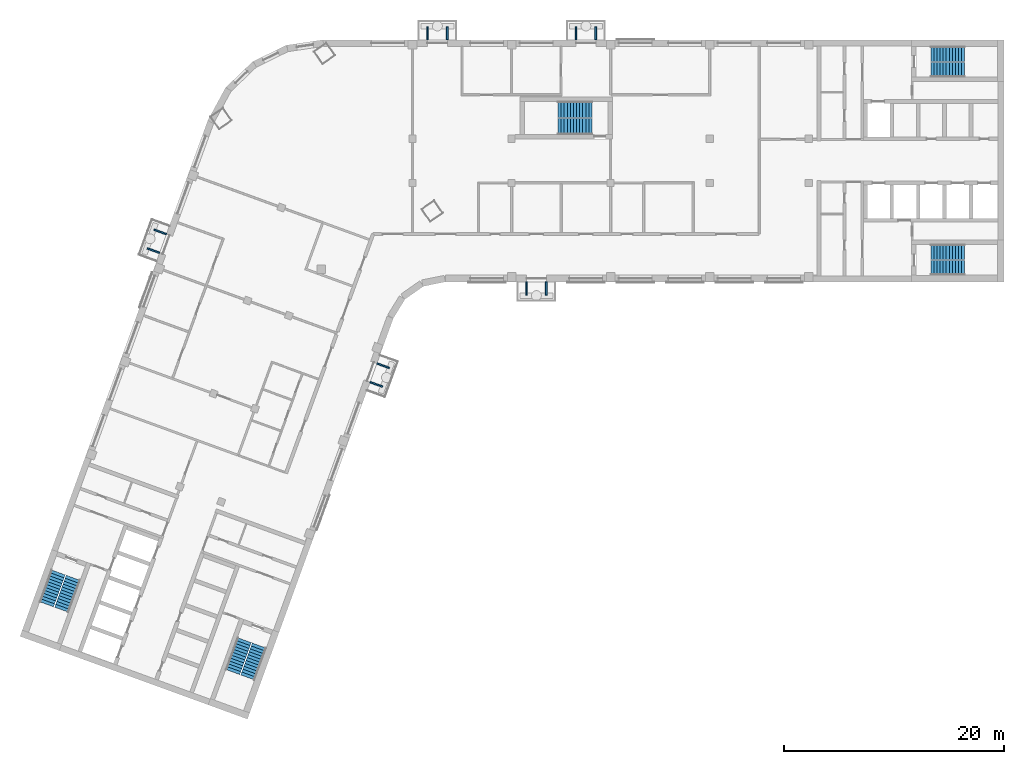
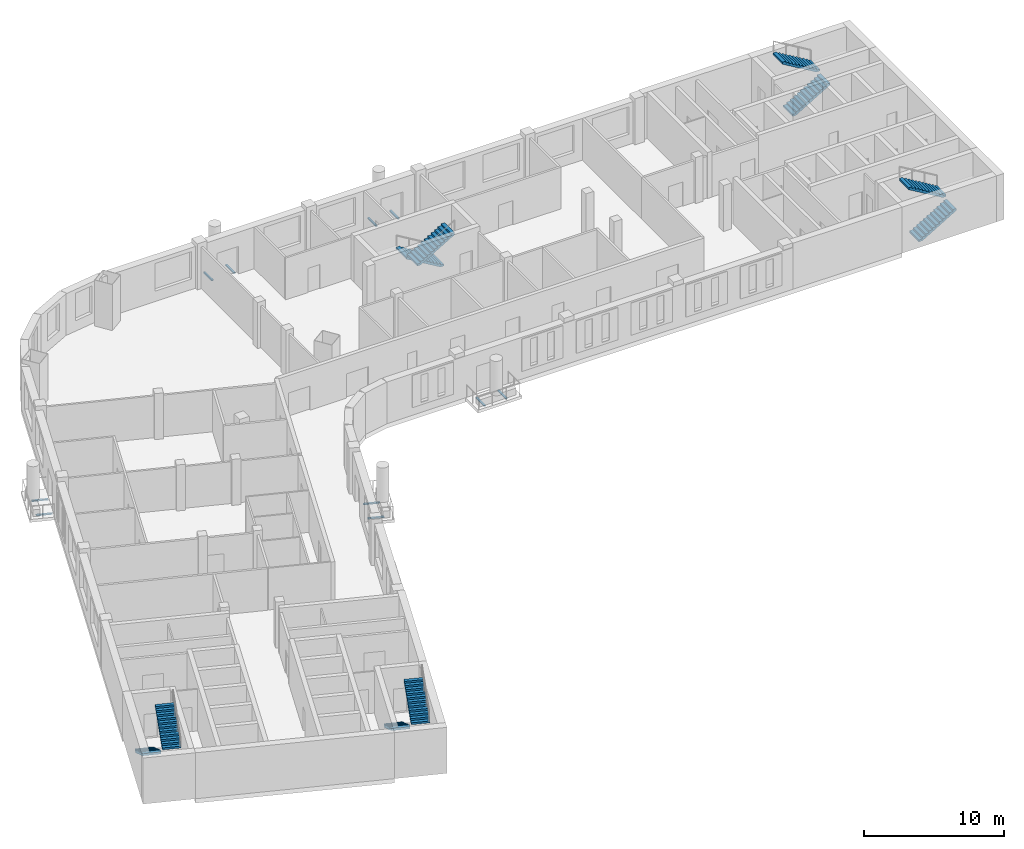
# One storey, part 7 of 10: 10 discrete accessories, 10 stair flights, 5 elements without a shape of their own.
"""IFC4 building model written with IfcOpenShell, lengths in metres."""

from ifc_helpers import new_model, si_unit, direction, frame, origin, origin_2d, place, context, subcontext, project, spatial, polyline, rectangle, outline, extrude, material, type_object, element, aggregate, save


model = new_model("IFC4")

# Units and contexts
model_context = context("Model", 3, precision=1e-05, world=origin(), true_north=direction((0.0, 1.0)))
body_context = subcontext(model_context, "Body", "Model", "MODEL_VIEW")
ifc_project = project(units=[si_unit("LENGTHUNIT", "METRE"), si_unit("AREAUNIT", "SQUARE_METRE"), si_unit("VOLUMEUNIT", "CUBIC_METRE"), si_unit("PLANEANGLEUNIT", "RADIAN"), si_unit("MASSUNIT", "GRAM", prefix="KILO")], contexts=[model_context])

# Site, building, storey
site_placement = place(None, origin())
site = spatial("IfcSite", under=ifc_project, at=site_placement, CompositionType="ELEMENT")
building_placement = place(site_placement, origin())
building = spatial("IfcBuilding", under=site, at=building_placement, Name="Skarvind Civic Tower", CompositionType="ELEMENT")
storey_placement = place(building_placement, frame((0.0, 0.0, 154.5)))
storey = spatial("IfcBuildingStorey", under=building, at=storey_placement, Name="L36", CompositionType="ELEMENT", Elevation=154.5)

# Stair, stair flights
ifc_material = material(Name="Concrete C40/50", Category="concrete")
stair_type_1 = type_object("IfcStairType", Name="Exit stair 1450, half-turn, concrete", PredefinedType="HALF_TURN_STAIR", material=ifc_material)
stair_1_placement = place(storey_placement, origin())
stair_1 = element("IfcStair", 1, at=stair_1_placement, inside=storey, type_object=stair_type_1, Name="Exit stair CM", PredefinedType="HALF_TURN_STAIR")
stair_flight_type_1 = type_object("IfcStairFlightType", Name="Stair flight 1450, concrete", PredefinedType="STRAIGHT", material=ifc_material)
stair_flight_1_placement = place(storey_placement, frame((70.550048828125, 132.675048828125, 0.0), z_axis=(0.0, 0.0, 1.0), x_axis=(-1.0, 0.0, 0.0)))
stair_flight_1 = element("IfcStairFlight", 2, at=stair_flight_1_placement, type_object=stair_flight_type_1, Name="ST-CM flight 1", NumberOfRisers=12, NumberOfTreads=11, PredefinedType="STRAIGHT", RiserHeight=0.166666667, TreadLength=0.28, context=body_context, shape_type="SweptSolid", body=[
    extrude(outline(polyline([(0.0, 0.0), (0.0, 0.166748046875), (0.280029296875, 0.166748046875), (0.280029296875, 0.333251953125), (0.56005859375, 0.333251953125), (0.56005859375, 0.5), (0.840087890625, 0.5), (0.840087890625, 0.666748046875), (1.1201171875, 0.666748046875), (1.1201171875, 0.833251953125), (1.39990234375, 0.833251953125), (1.39990234375, 1.0), (1.679931640625, 1.0), (1.679931640625, 1.166748046875), (1.9599609375, 1.166748046875), (1.9599609375, 1.333251953125), (2.239990234375, 1.333251953125), (2.239990234375, 1.5), (2.52001953125, 1.5), (2.52001953125, 1.666748046875), (2.800048828125, 1.666748046875), (2.800048828125, 1.833251953125), (3.080078125, 1.833251953125), (3.080078125, 2.0), (3.080078125, 1.658935546875), (0.29296875, 0.0), (0.0, 0.0)])), frame((0.0, 0.72509765625, 0.0), z_axis=(0.0, -1.0, 0.0), x_axis=(1.0, 0.0, 0.0)), (0.0, 0.0, 1.0), 1.449951171875),
])
stair_flight_2_placement = place(storey_placement, frame((67.469970703125, 131.125, 2.0), z_axis=(0.0, 0.0, 1.0), x_axis=(1.0, 0.0, 0.0)))
stair_flight_2 = element("IfcStairFlight", 3, at=stair_flight_2_placement, type_object=stair_flight_type_1, Name="ST-CM flight 2", NumberOfRisers=12, NumberOfTreads=11, PredefinedType="STRAIGHT", RiserHeight=0.166666667, TreadLength=0.28, context=body_context, shape_type="SweptSolid", body=[
    extrude(outline(polyline([(0.0, 0.0), (0.0, 0.166748046875), (0.280029296875, 0.166748046875), (0.280029296875, 0.333251953125), (0.56005859375, 0.333251953125), (0.56005859375, 0.5), (0.840087890625, 0.5), (0.840087890625, 0.666748046875), (1.1201171875, 0.666748046875), (1.1201171875, 0.833251953125), (1.39990234375, 0.833251953125), (1.39990234375, 1.0), (1.679931640625, 1.0), (1.679931640625, 1.166748046875), (1.9599609375, 1.166748046875), (1.9599609375, 1.333251953125), (2.239990234375, 1.333251953125), (2.239990234375, 1.5), (2.52001953125, 1.5), (2.52001953125, 1.666748046875), (2.800048828125, 1.666748046875), (2.800048828125, 1.833251953125), (3.080078125, 1.833251953125), (3.080078125, 2.0), (3.080078125, 1.658935546875), (0.29296875, 0.0), (0.0, 0.0)])), frame((0.0, 0.72509765625, 0.0), z_axis=(0.0, -1.0, 0.0), x_axis=(1.0, 0.0, 0.0)), (0.0, 0.0, 1.0), 1.449951171875),
])
aggregate(stair_1, [stair_flight_1, stair_flight_2])

stair_type_2 = type_object("IfcStairType", Name="Exit stair, half-turn, concrete", PredefinedType="HALF_TURN_STAIR", material=ifc_material)
stair_2_placement = place(storey_placement, origin())
stair_2 = element("IfcStair", 4, at=stair_2_placement, inside=storey, type_object=stair_type_2, Name="Exit stair C1S", PredefinedType="HALF_TURN_STAIR")
stair_flight_type_2 = type_object("IfcStairFlightType", Name="Stair flight, concrete", PredefinedType="STRAIGHT", material=ifc_material)
stair_flight_3_placement = place(storey_placement, frame((101.35009765625, 136.27490234375, 0.0), z_axis=(0.0, 0.0, 1.0), x_axis=(1.0, 0.0, 0.0)))
stair_flight_3 = element("IfcStairFlight", 5, at=stair_flight_3_placement, type_object=stair_flight_type_2, Name="ST-C1S flight 1", NumberOfRisers=12, NumberOfTreads=11, PredefinedType="STRAIGHT", RiserHeight=0.166666667, TreadLength=0.28, context=body_context, shape_type="SweptSolid", body=[
    extrude(outline(polyline([(0.0, 0.0), (0.0, 0.166748046875), (0.280029296875, 0.166748046875), (0.280029296875, 0.333251953125), (0.56005859375, 0.333251953125), (0.56005859375, 0.5), (0.840087890625, 0.5), (0.840087890625, 0.666748046875), (1.1201171875, 0.666748046875), (1.1201171875, 0.833251953125), (1.39990234375, 0.833251953125), (1.39990234375, 1.0), (1.679931640625, 1.0), (1.679931640625, 1.166748046875), (1.9599609375, 1.166748046875), (1.9599609375, 1.333251953125), (2.239990234375, 1.333251953125), (2.239990234375, 1.5), (2.52001953125, 1.5), (2.52001953125, 1.666748046875), (2.800048828125, 1.666748046875), (2.800048828125, 1.833251953125), (3.080078125, 1.833251953125), (3.080078125, 2.0), (3.080078125, 1.658935546875), (0.29296875, 0.0), (0.0, 0.0)])), frame((0.0, 0.675048828125, 0.0), z_axis=(0.0, -1.0, 0.0), x_axis=(1.0, 0.0, 0.0)), (0.0, 0.0, 1.0), 1.35009765625),
])
stair_flight_4_placement = place(storey_placement, frame((104.429931640625, 137.72509765625, 2.0), z_axis=(0.0, 0.0, 1.0), x_axis=(-1.0, 0.0, 0.0)))
stair_flight_4 = element("IfcStairFlight", 6, at=stair_flight_4_placement, type_object=stair_flight_type_2, Name="ST-C1S flight 2", NumberOfRisers=12, NumberOfTreads=11, PredefinedType="STRAIGHT", RiserHeight=0.166666667, TreadLength=0.28, context=body_context, shape_type="SweptSolid", body=[
    extrude(outline(polyline([(0.0, 0.0), (0.0, 0.166748046875), (0.280029296875, 0.166748046875), (0.280029296875, 0.333251953125), (0.56005859375, 0.333251953125), (0.56005859375, 0.5), (0.840087890625, 0.5), (0.840087890625, 0.666748046875), (1.1201171875, 0.666748046875), (1.1201171875, 0.833251953125), (1.39990234375, 0.833251953125), (1.39990234375, 1.0), (1.679931640625, 1.0), (1.679931640625, 1.166748046875), (1.9599609375, 1.166748046875), (1.9599609375, 1.333251953125), (2.239990234375, 1.333251953125), (2.239990234375, 1.5), (2.52001953125, 1.5), (2.52001953125, 1.666748046875), (2.800048828125, 1.666748046875), (2.800048828125, 1.833251953125), (3.080078125, 1.833251953125), (3.080078125, 2.0), (3.080078125, 1.658935546875), (0.29296875, 0.0), (0.0, 0.0)])), frame((0.0, 0.675048828125, 0.0), z_axis=(0.0, -1.0, 0.0), x_axis=(1.0, 0.0, 0.0)), (0.0, 0.0, 1.0), 1.35009765625),
])
aggregate(stair_2, [stair_flight_3, stair_flight_4])

stair_3_placement = place(storey_placement, origin())
stair_3 = element("IfcStair", 7, at=stair_3_placement, inside=storey, type_object=stair_type_2, Name="Exit stair C1N", PredefinedType="HALF_TURN_STAIR")
stair_flight_5_placement = place(storey_placement, frame((101.35009765625, 118.27490234375, 0.0), z_axis=(0.0, 0.0, 1.0), x_axis=(1.0, 0.0, 0.0)))
stair_flight_5 = element("IfcStairFlight", 8, at=stair_flight_5_placement, type_object=stair_flight_type_2, Name="ST-C1N flight 1", NumberOfRisers=12, NumberOfTreads=11, PredefinedType="STRAIGHT", RiserHeight=0.166666667, TreadLength=0.28, context=body_context, shape_type="SweptSolid", body=[
    extrude(outline(polyline([(0.0, 0.0), (0.0, 0.166748046875), (0.280029296875, 0.166748046875), (0.280029296875, 0.333251953125), (0.56005859375, 0.333251953125), (0.56005859375, 0.5), (0.840087890625, 0.5), (0.840087890625, 0.666748046875), (1.1201171875, 0.666748046875), (1.1201171875, 0.833251953125), (1.39990234375, 0.833251953125), (1.39990234375, 1.0), (1.679931640625, 1.0), (1.679931640625, 1.166748046875), (1.9599609375, 1.166748046875), (1.9599609375, 1.333251953125), (2.239990234375, 1.333251953125), (2.239990234375, 1.5), (2.52001953125, 1.5), (2.52001953125, 1.666748046875), (2.800048828125, 1.666748046875), (2.800048828125, 1.833251953125), (3.080078125, 1.833251953125), (3.080078125, 2.0), (3.080078125, 1.658935546875), (0.29296875, 0.0), (0.0, 0.0)])), frame((0.0, 0.675048828125, 0.0), z_axis=(0.0, -1.0, 0.0), x_axis=(1.0, 0.0, 0.0)), (0.0, 0.0, 1.0), 1.35009765625),
])
stair_flight_6_placement = place(storey_placement, frame((104.429931640625, 119.72509765625, 2.0), z_axis=(0.0, 0.0, 1.0), x_axis=(-1.0, 0.0, 0.0)))
stair_flight_6 = element("IfcStairFlight", 9, at=stair_flight_6_placement, type_object=stair_flight_type_2, Name="ST-C1N flight 2", NumberOfRisers=12, NumberOfTreads=11, PredefinedType="STRAIGHT", RiserHeight=0.166666667, TreadLength=0.28, context=body_context, shape_type="SweptSolid", body=[
    extrude(outline(polyline([(0.0, 0.0), (0.0, 0.166748046875), (0.280029296875, 0.166748046875), (0.280029296875, 0.333251953125), (0.56005859375, 0.333251953125), (0.56005859375, 0.5), (0.840087890625, 0.5), (0.840087890625, 0.666748046875), (1.1201171875, 0.666748046875), (1.1201171875, 0.833251953125), (1.39990234375, 0.833251953125), (1.39990234375, 1.0), (1.679931640625, 1.0), (1.679931640625, 1.166748046875), (1.9599609375, 1.166748046875), (1.9599609375, 1.333251953125), (2.239990234375, 1.333251953125), (2.239990234375, 1.5), (2.52001953125, 1.5), (2.52001953125, 1.666748046875), (2.800048828125, 1.666748046875), (2.800048828125, 1.833251953125), (3.080078125, 1.833251953125), (3.080078125, 2.0), (3.080078125, 1.658935546875), (0.29296875, 0.0), (0.0, 0.0)])), frame((0.0, 0.675048828125, 0.0), z_axis=(0.0, -1.0, 0.0), x_axis=(1.0, 0.0, 0.0)), (0.0, 0.0, 1.0), 1.35009765625),
])
aggregate(stair_3, [stair_flight_5, stair_flight_6])

stair_4_placement = place(storey_placement, origin())
stair_4 = element("IfcStair", 10, at=stair_4_placement, inside=storey, type_object=stair_type_2, Name="Exit stair C2S", PredefinedType="HALF_TURN_STAIR")
stair_flight_7_placement = place(storey_placement, frame((38.949462890625, 84.43408203125, 0.0), z_axis=(0.0, 0.0, 1.0), x_axis=(-0.342020143326, -0.939692620786, 0.0)))
stair_flight_7 = element("IfcStairFlight", 11, at=stair_flight_7_placement, type_object=stair_flight_type_2, Name="ST-C2S flight 1", NumberOfRisers=12, NumberOfTreads=11, PredefinedType="STRAIGHT", RiserHeight=0.166666667, TreadLength=0.28, context=body_context, shape_type="SweptSolid", body=[
    extrude(outline(polyline([(0.0, 0.0), (0.0, 0.166748046875), (0.280029296875, 0.166748046875), (0.280029296875, 0.333251953125), (0.56005859375, 0.333251953125), (0.56005859375, 0.5), (0.840087890625, 0.5), (0.840087890625, 0.666748046875), (1.1201171875, 0.666748046875), (1.1201171875, 0.833251953125), (1.39990234375, 0.833251953125), (1.39990234375, 1.0), (1.679931640625, 1.0), (1.679931640625, 1.166748046875), (1.9599609375, 1.166748046875), (1.9599609375, 1.333251953125), (2.239990234375, 1.333251953125), (2.239990234375, 1.5), (2.52001953125, 1.5), (2.52001953125, 1.666748046875), (2.800048828125, 1.666748046875), (2.800048828125, 1.833251953125), (3.080078125, 1.833251953125), (3.080078125, 2.0), (3.080078125, 1.658935546875), (0.29296875, 0.0), (0.0, 0.0)])), frame((0.0, 0.675048828125, 0.0), z_axis=(0.0, -1.0, 0.0), x_axis=(1.0, 0.0, 0.0)), (0.0, 0.0, 1.0), 1.35009765625),
])
stair_flight_8_placement = place(storey_placement, frame((39.258544921875, 81.0439453125, 2.0), z_axis=(0.0, 0.0, 1.0), x_axis=(0.342020143326, 0.939692620786, 0.0)))
stair_flight_8 = element("IfcStairFlight", 12, at=stair_flight_8_placement, type_object=stair_flight_type_2, Name="ST-C2S flight 2", NumberOfRisers=12, NumberOfTreads=11, PredefinedType="STRAIGHT", RiserHeight=0.166666667, TreadLength=0.28, context=body_context, shape_type="SweptSolid", body=[
    extrude(outline(polyline([(0.0, 0.0), (0.0, 0.166748046875), (0.280029296875, 0.166748046875), (0.280029296875, 0.333251953125), (0.56005859375, 0.333251953125), (0.56005859375, 0.5), (0.840087890625, 0.5), (0.840087890625, 0.666748046875), (1.1201171875, 0.666748046875), (1.1201171875, 0.833251953125), (1.39990234375, 0.833251953125), (1.39990234375, 1.0), (1.679931640625, 1.0), (1.679931640625, 1.166748046875), (1.9599609375, 1.166748046875), (1.9599609375, 1.333251953125), (2.239990234375, 1.333251953125), (2.239990234375, 1.5), (2.52001953125, 1.5), (2.52001953125, 1.666748046875), (2.800048828125, 1.666748046875), (2.800048828125, 1.833251953125), (3.080078125, 1.833251953125), (3.080078125, 2.0), (3.080078125, 1.658935546875), (0.29296875, 0.0), (0.0, 0.0)])), frame((0.0, 0.675048828125, 0.0), z_axis=(0.0, -1.0, 0.0), x_axis=(1.0, 0.0, 0.0)), (0.0, 0.0, 1.0), 1.35009765625),
])
aggregate(stair_4, [stair_flight_7, stair_flight_8])

stair_5_placement = place(storey_placement, origin())
stair_5 = element("IfcStair", 13, at=stair_5_placement, inside=storey, type_object=stair_type_2, Name="Exit stair C2N", PredefinedType="HALF_TURN_STAIR")
stair_flight_9_placement = place(storey_placement, frame((22.034912109375, 90.590576171875, 0.0), z_axis=(0.0, 0.0, 1.0), x_axis=(-0.342020143326, -0.939692620786, 0.0)))
stair_flight_9 = element("IfcStairFlight", 14, at=stair_flight_9_placement, type_object=stair_flight_type_2, Name="ST-C2N flight 1", NumberOfRisers=12, NumberOfTreads=11, PredefinedType="STRAIGHT", RiserHeight=0.166666667, TreadLength=0.28, context=body_context, shape_type="SweptSolid", body=[
    extrude(outline(polyline([(0.0, 0.0), (0.0, 0.166748046875), (0.280029296875, 0.166748046875), (0.280029296875, 0.333251953125), (0.56005859375, 0.333251953125), (0.56005859375, 0.5), (0.840087890625, 0.5), (0.840087890625, 0.666748046875), (1.1201171875, 0.666748046875), (1.1201171875, 0.833251953125), (1.39990234375, 0.833251953125), (1.39990234375, 1.0), (1.679931640625, 1.0), (1.679931640625, 1.166748046875), (1.9599609375, 1.166748046875), (1.9599609375, 1.333251953125), (2.239990234375, 1.333251953125), (2.239990234375, 1.5), (2.52001953125, 1.5), (2.52001953125, 1.666748046875), (2.800048828125, 1.666748046875), (2.800048828125, 1.833251953125), (3.080078125, 1.833251953125), (3.080078125, 2.0), (3.080078125, 1.658935546875), (0.29296875, 0.0), (0.0, 0.0)])), frame((0.0, 0.675048828125, 0.0), z_axis=(0.0, -1.0, 0.0), x_axis=(1.0, 0.0, 0.0)), (0.0, 0.0, 1.0), 1.35009765625),
])
stair_flight_10_placement = place(storey_placement, frame((22.343994140625, 87.2001953125, 2.0), z_axis=(0.0, 0.0, 1.0), x_axis=(0.342020143326, 0.939692620786, 0.0)))
stair_flight_10 = element("IfcStairFlight", 15, at=stair_flight_10_placement, type_object=stair_flight_type_2, Name="ST-C2N flight 2", NumberOfRisers=12, NumberOfTreads=11, PredefinedType="STRAIGHT", RiserHeight=0.166666667, TreadLength=0.28, context=body_context, shape_type="SweptSolid", body=[
    extrude(outline(polyline([(0.0, 0.0), (0.0, 0.166748046875), (0.280029296875, 0.166748046875), (0.280029296875, 0.333251953125), (0.56005859375, 0.333251953125), (0.56005859375, 0.5), (0.840087890625, 0.5), (0.840087890625, 0.666748046875), (1.1201171875, 0.666748046875), (1.1201171875, 0.833251953125), (1.39990234375, 0.833251953125), (1.39990234375, 1.0), (1.679931640625, 1.0), (1.679931640625, 1.166748046875), (1.9599609375, 1.166748046875), (1.9599609375, 1.333251953125), (2.239990234375, 1.333251953125), (2.239990234375, 1.5), (2.52001953125, 1.5), (2.52001953125, 1.666748046875), (2.800048828125, 1.666748046875), (2.800048828125, 1.833251953125), (3.080078125, 1.833251953125), (3.080078125, 2.0), (3.080078125, 1.658935546875), (0.29296875, 0.0), (0.0, 0.0)])), frame((0.0, 0.675048828125, 0.0), z_axis=(0.0, -1.0, 0.0), x_axis=(1.0, 0.0, 0.0)), (0.0, 0.0, 1.0), 1.35009765625),
])
aggregate(stair_5, [stair_flight_9, stair_flight_10])

# Discrete accessories
for number, where, z_axis, x_axis, name in (
    (16, (51.56494140625, 109.373291015625, -0.35009765625), (0.0, 0.0, 1.0), (-0.342020143326, -0.939692620786, 0.0), "TREE BALCONY BRACKET"),
    (17, (50.94921875, 107.681884765625, -0.35009765625), (0.0, 0.0, 1.0), (-0.342020143326, -0.939692620786, 0.0), "TREE BALCONY BRACKET"),
    (18, (66.39990234375, 116.39990234375, -0.35009765625), (0.0, 0.0, 1.0), (-1.0, 0.0, 0.0), "TREE BALCONY BRACKET"),
    (19, (64.60009765625, 116.39990234375, -0.35009765625), (0.0, 0.0, 1.0), (-1.0, 0.0, 0.0), "TREE BALCONY BRACKET"),
    (20, (55.60009765625, 139.60009765625, -0.35009765625), (0.0, 0.0, 1.0), (1.0, 0.0, 0.0), "TREE BALCONY BRACKET"),
    (21, (57.39990234375, 139.60009765625, -0.35009765625), (0.0, 0.0, 1.0), (1.0, 0.0, 0.0), "TREE BALCONY BRACKET"),
    (22, (69.10009765625, 139.60009765625, -0.35009765625), (0.0, 0.0, 1.0), (1.0, 0.0, 0.0), "TREE BALCONY BRACKET"),
    (23, (70.89990234375, 139.60009765625, -0.35009765625), (0.0, 0.0, 1.0), (1.0, 0.0, 0.0), "TREE BALCONY BRACKET"),
    (24, (30.6875, 119.845458984375, -0.35009765625), (0.0, 0.0, 1.0), (0.342020143326, 0.939692620786, 0.0), "TREE BALCONY BRACKET"),
    (25, (31.30322265625, 121.536865234375, -0.35009765625), (0.0, 0.0, 1.0), (0.342020143326, 0.939692620786, 0.0), "TREE BALCONY BRACKET"),
):
    element("IfcDiscreteAccessory", number, at=place(storey_placement, frame(where, z_axis=z_axis, x_axis=x_axis)), inside=storey, Name=name, PredefinedType="BRACKET", context=body_context, shape_type="SweptSolid", body=[
        extrude(rectangle(XDim=0.14990234375, YDim=1.199951171875, at=origin_2d()), origin(), (0.0, 0.0, 1.0), 0.10009765625),
    ])

save(model, "model.ifc")
